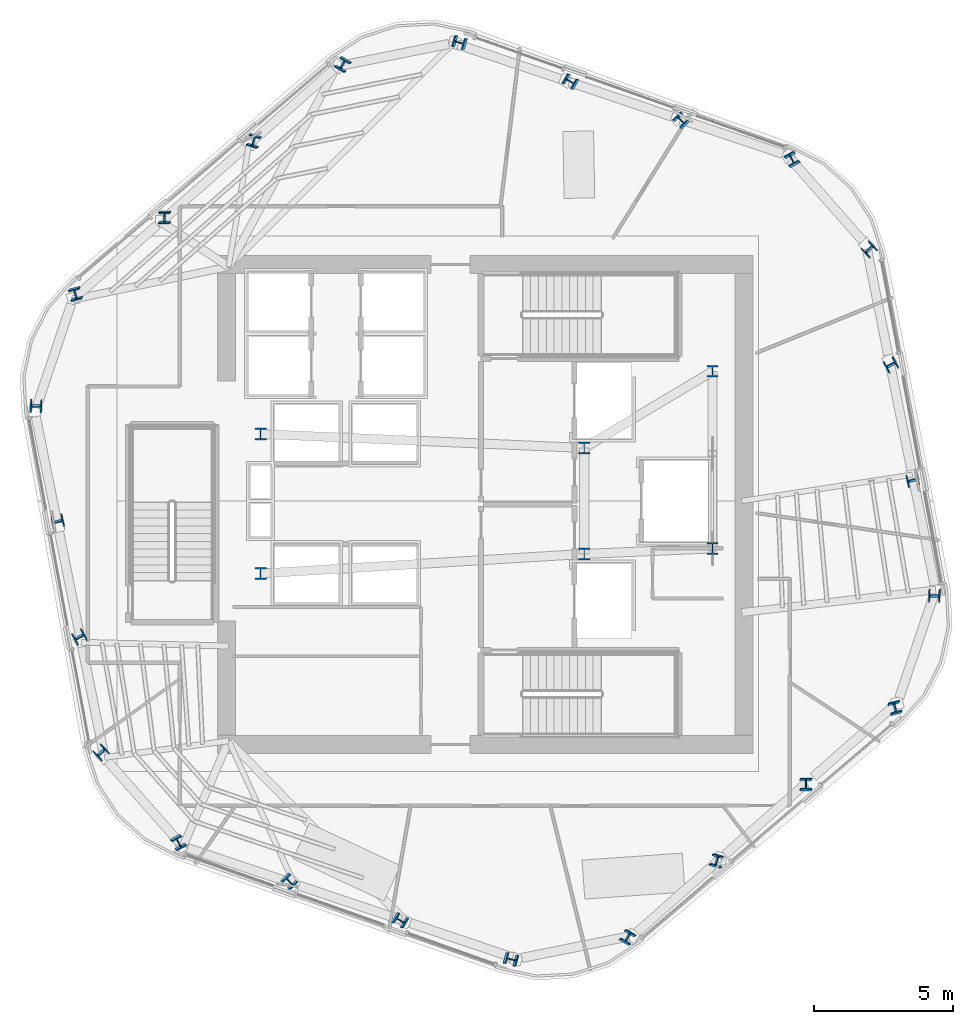
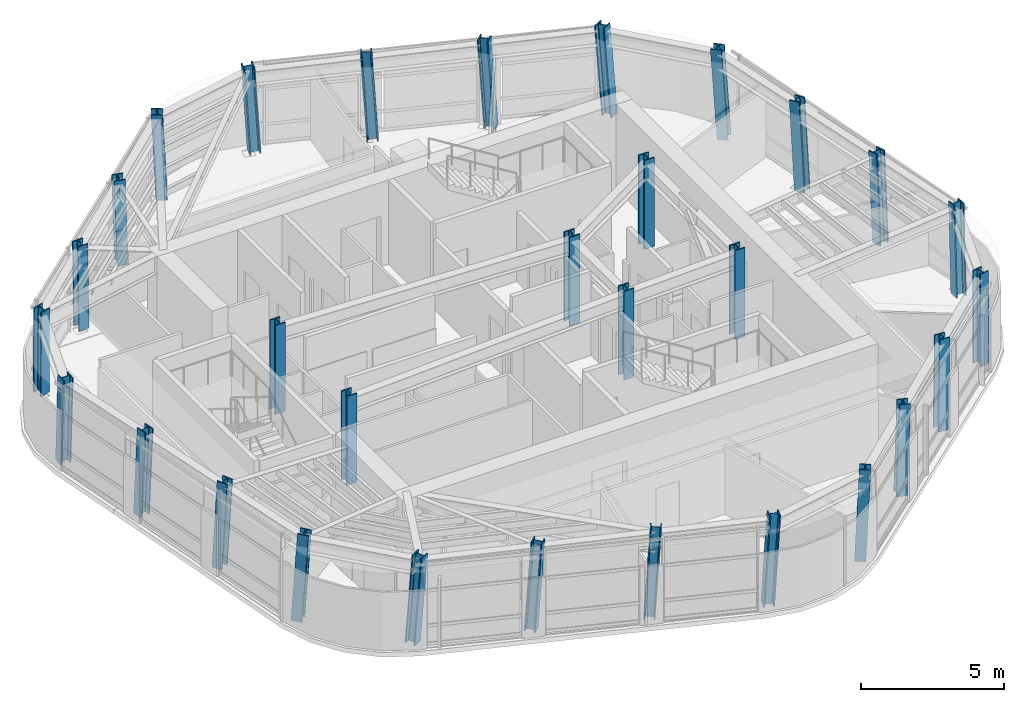
# One storey, part 1 of 14: 30 columns.
"""IFC4 building model written with IfcOpenShell, lengths in metres."""

from ifc_helpers import new_model, si_unit, direction, frame, origin, origin_2d, place, context, subcontext, project, spatial, i_section, extrude, material, material_profile, profile_set, type_object, element, save


model = new_model("IFC4")

# Units and contexts
model_context = context("Model", 3, precision=1e-05, world=origin(), true_north=direction((0.0, 1.0)))
body_context = subcontext(model_context, "Body", "Model", "MODEL_VIEW")
ifc_project = project(units=[si_unit("LENGTHUNIT", "METRE"), si_unit("AREAUNIT", "SQUARE_METRE"), si_unit("VOLUMEUNIT", "CUBIC_METRE"), si_unit("PLANEANGLEUNIT", "RADIAN"), si_unit("MASSUNIT", "GRAM", prefix="KILO")], contexts=[model_context])

# Site, building, storey
site_placement = place(None, origin())
site = spatial("IfcSite", under=ifc_project, at=site_placement, CompositionType="ELEMENT")
building_placement = place(site_placement, origin())
building = spatial("IfcBuilding", under=site, at=building_placement, Name="Valkerne Bourse Tower", CompositionType="ELEMENT")
storey_placement = place(building_placement, frame((0.0, 0.0, 198.0)))
storey = spatial("IfcBuildingStorey", under=building, at=storey_placement, Name="L50", CompositionType="ELEMENT", Elevation=198.0)

# Columns
ifc_material = material(Name="Steel ASTM A913 Grade 65", Category="steel")
ifc_material_profile_1 = material_profile(ifc_material, i_section(OverallWidth=0.40380859375, OverallDepth=0.406494140625, WebThickness=0.027099609375, FlangeThickness=0.043701171875, FilletRadius=0.025390625, at=origin_2d()), Name="W14X233")
ifc_profile_set_1 = profile_set([ifc_material_profile_1], Name="Steel ASTM A913 Grade 65")
column_type_1 = type_object("IfcColumnType", Name="COL-W14X233", PredefinedType="COLUMN", material=ifc_profile_set_1)
column_1_placement = place(storey_placement, frame((57.8291015625, 39.218017578125, 0.010009765625), z_axis=(-0.051020524217, 0.045287157228, 0.997670275942), x_axis=(0.874824725426, 0.483904036097, 0.022772431404)))
element("IfcColumn", 1, at=column_1_placement, inside=storey, type_object=column_type_1, Name="L50 Helical Perimeter Tube Column F1-C1", PredefinedType="COLUMN", context=body_context, shape_type="SweptSolid", body=[
    extrude(i_section(OverallWidth=0.40380859375, OverallDepth=0.406494140625, WebThickness=0.027099609375, FlangeThickness=0.043701171875, FilletRadius=0.025390625, at=origin_2d()), origin(), (0.0, 0.0, 1.0), 3.789794921875),
])
for number, where, z_axis, x_axis, name in (
    (2, (53.858642578125, 40.6240234375, 0.010009765625), (-0.056706801712, 0.028804477688, 0.997975270588), (0.723912208223, 0.689565335887, 0.021231164079), "L50 Helical Perimeter Tube Column F1-C2"),
    (3, (49.88818359375, 42.030029296875, 0.010009765625), (-0.062377573059, 0.012307971544, 0.997976729296), (0.509308147664, 0.860322481873, 0.021223522496), "L50 Helical Perimeter Tube Column F1-C3"),
):
    element("IfcColumn", number, at=place(storey_placement, frame(where, z_axis=z_axis, x_axis=x_axis)), inside=storey, type_object=column_type_1, Name=name, PredefinedType="COLUMN", context=body_context, shape_type="SweptSolid", body=[
        extrude(i_section(OverallWidth=0.40380859375, OverallDepth=0.406494140625, WebThickness=0.027099609375, FlangeThickness=0.043701171875, FilletRadius=0.025390625, at=origin_2d()), origin(), (0.0, 0.0, 1.0), 3.78857421875),
    ])
for number, where, z_axis, x_axis, name in (
    (4, (45.917724609375, 43.43603515625, 0.010009765625), (-0.068027663742, -0.004187308848, 0.997674648074), (0.274488704099, 0.961321142891, 0.022751078054), "L50 Helical Perimeter Tube Column F1-C4"),
    (5, (41.7333984375, 42.660400390625, 0.010009765625), (-0.06474193857, -0.021516226351, 0.997670052369), (-0.854683458748, 0.517255267288, -0.044307717232), "L50 Helical Perimeter Tube Column F2-C1"),
):
    element("IfcColumn", number, at=place(storey_placement, frame(where, z_axis=z_axis, x_axis=x_axis)), inside=storey, type_object=column_type_1, Name=name, PredefinedType="COLUMN", context=body_context, shape_type="SweptSolid", body=[
        extrude(i_section(OverallWidth=0.40380859375, OverallDepth=0.406494140625, WebThickness=0.027099609375, FlangeThickness=0.043701171875, FilletRadius=0.025390625, at=origin_2d()), origin(), (0.0, 0.0, 1.0), 3.789794921875),
    ])
for number, where, z_axis, x_axis, name in (
    (6, (38.530517578125, 39.925048828125, 0.010009765625), (-0.053291479035, -0.034732898669, 0.99797477123), (-0.958184626004, 0.283152854945, -0.041312022786), "L50 Helical Perimeter Tube Column F2-C2"),
    (7, (35.327880859375, 37.189453125, 0.010009765625), (-0.041885676242, -0.04787854992, 0.9979745661), (-0.999063364963, 0.012866113358, -0.041314112804), "L50 Helical Perimeter Tube Column F2-C3"),
):
    element("IfcColumn", number, at=place(storey_placement, frame(where, z_axis=z_axis, x_axis=x_axis)), inside=storey, type_object=column_type_1, Name=name, PredefinedType="COLUMN", context=body_context, shape_type="SweptSolid", body=[
        extrude(i_section(OverallWidth=0.40380859375, OverallDepth=0.406494140625, WebThickness=0.027099609375, FlangeThickness=0.043701171875, FilletRadius=0.025390625, at=origin_2d()), origin(), (0.0, 0.0, 1.0), 3.78857421875),
    ])
for number, where, z_axis, x_axis, name in (
    (8, (32.125, 34.4541015625, 0.010009765625), (-0.030406170052, -0.06107001951, 0.99767024489), (-0.969487222029, -0.241104779177, -0.044305888775), "L50 Helical Perimeter Tube Column F2-C4"),
    (9, (30.704345703125, 30.4423828125, 0.010009765625), (-0.013721449788, -0.066803490282, 0.997671797487), (-0.018861255832, -0.997570913135, -0.067056142856), "L50 Helical Perimeter Tube Column F3-C1"),
):
    element("IfcColumn", number, at=place(storey_placement, frame(where, z_axis=z_axis, x_axis=x_axis)), inside=storey, type_object=column_type_1, Name=name, PredefinedType="COLUMN", context=body_context, shape_type="SweptSolid", body=[
        extrude(i_section(OverallWidth=0.40380859375, OverallDepth=0.406494140625, WebThickness=0.027099609375, FlangeThickness=0.043701171875, FilletRadius=0.025390625, at=origin_2d()), origin(), (0.0, 0.0, 1.0), 3.789794921875),
    ])
for number, where, z_axis, x_axis, name in (
    (10, (31.471923828125, 26.301025390625, 0.010009765625), (0.003415290368, -0.06353728873, 0.997973621261), (0.234642135372, -0.970066426533, -0.06256353908), "L50 Helical Perimeter Tube Column F3-C2"),
    (11, (32.239501953125, 22.159423828125, 0.010009765625), (0.020556219547, -0.060186548768, 0.997975461214), (0.489609098859, -0.869696662282, -0.062535157558), "L50 Helical Perimeter Tube Column F3-C3"),
):
    element("IfcColumn", number, at=place(storey_placement, frame(where, z_axis=z_axis, x_axis=x_axis)), inside=storey, type_object=column_type_1, Name=name, PredefinedType="COLUMN", context=body_context, shape_type="SweptSolid", body=[
        extrude(i_section(OverallWidth=0.40380859375, OverallDepth=0.406494140625, WebThickness=0.027099609375, FlangeThickness=0.043701171875, FilletRadius=0.025390625, at=origin_2d()), origin(), (0.0, 0.0, 1.0), 3.78857421875),
    ])
for number, where, z_axis, x_axis, name in (
    (12, (33.007080078125, 18.01806640625, 0.010009765625), (0.037685579994, -0.056882678863, 0.997669363019), (0.693706979654, -0.717125793573, -0.067091151212), "L50 Helical Perimeter Tube Column F3-C4"),
    (13, (35.77099609375, 14.781982421875, 0.010009765625), (0.050956271737, -0.045287305981, 0.997673552966), (0.87512892251, 0.483354439259, -0.022756428418), "L50 Helical Perimeter Tube Column F4-C1"),
):
    element("IfcColumn", number, at=place(storey_placement, frame(where, z_axis=z_axis, x_axis=x_axis)), inside=storey, type_object=column_type_1, Name=name, PredefinedType="COLUMN", context=body_context, shape_type="SweptSolid", body=[
        extrude(i_section(OverallWidth=0.40380859375, OverallDepth=0.406494140625, WebThickness=0.027099609375, FlangeThickness=0.043701171875, FilletRadius=0.025390625, at=origin_2d()), origin(), (0.0, 0.0, 1.0), 3.789794921875),
    ])
for number, where, z_axis, x_axis, name in (
    (14, (39.741455078125, 13.3759765625, 0.010009765625), (0.056706801712, -0.028804477688, 0.997975270588), (0.723912208223, 0.689565335887, -0.021231164079), "L50 Helical Perimeter Tube Column F4-C2"),
    (15, (43.7119140625, 11.969970703125, 0.010009765625), (0.062377573059, -0.012307971544, 0.997976729296), (0.509308147664, 0.860322481873, -0.021223522496), "L50 Helical Perimeter Tube Column F4-C3"),
):
    element("IfcColumn", number, at=place(storey_placement, frame(where, z_axis=z_axis, x_axis=x_axis)), inside=storey, type_object=column_type_1, Name=name, PredefinedType="COLUMN", context=body_context, shape_type="SweptSolid", body=[
        extrude(i_section(OverallWidth=0.40380859375, OverallDepth=0.406494140625, WebThickness=0.027099609375, FlangeThickness=0.043701171875, FilletRadius=0.025390625, at=origin_2d()), origin(), (0.0, 0.0, 1.0), 3.78857421875),
    ])
for number, where, z_axis, x_axis, name in (
    (16, (47.68212890625, 10.56396484375, 0.010009765625), (0.068091785335, 0.004187290489, 0.997670273872), (0.274543016447, 0.961305127433, -0.02277244151), "L50 Helical Perimeter Tube Column F4-C4"),
    (17, (51.86669921875, 11.339599609375, 0.010009765625), (0.064677788346, 0.021516316043, 0.997674211273), (-0.854840157292, 0.516999643922, 0.044268201514), "L50 Helical Perimeter Tube Column F5-C1"),
):
    element("IfcColumn", number, at=place(storey_placement, frame(where, z_axis=z_axis, x_axis=x_axis)), inside=storey, type_object=column_type_1, Name=name, PredefinedType="COLUMN", context=body_context, shape_type="SweptSolid", body=[
        extrude(i_section(OverallWidth=0.40380859375, OverallDepth=0.406494140625, WebThickness=0.027099609375, FlangeThickness=0.043701171875, FilletRadius=0.025390625, at=origin_2d()), origin(), (0.0, 0.0, 1.0), 3.789794921875),
    ])
for number, where, z_axis, x_axis, name in (
    (18, (55.0693359375, 14.074951171875, 0.010009765625), (0.053355735212, 0.034732779322, 0.997971342054), (-0.958026124997, 0.283683580286, 0.041346947874), "L50 Helical Perimeter Tube Column F5-C2"),
    (19, (58.272216796875, 16.810546875, 0.010009765625), (0.041885676242, 0.04787854992, 0.9979745661), (-0.999063364963, 0.012866113358, 0.041314112804), "L50 Helical Perimeter Tube Column F5-C3"),
):
    element("IfcColumn", number, at=place(storey_placement, frame(where, z_axis=z_axis, x_axis=x_axis)), inside=storey, type_object=column_type_1, Name=name, PredefinedType="COLUMN", context=body_context, shape_type="SweptSolid", body=[
        extrude(i_section(OverallWidth=0.40380859375, OverallDepth=0.406494140625, WebThickness=0.027099609375, FlangeThickness=0.043701171875, FilletRadius=0.025390625, at=origin_2d()), origin(), (0.0, 0.0, 1.0), 3.78857421875),
    ])
for number, where, z_axis, x_axis, name in (
    (20, (61.47509765625, 19.5458984375, 0.010009765625), (0.030406170052, 0.06107001951, 0.99767024489), (-0.969487222029, -0.241104779177, 0.044305888775), "L50 Helical Perimeter Tube Column F5-C4"),
    (21, (62.8955078125, 23.5576171875, 0.010009765625), (0.013785857526, 0.066803431093, 0.997670913541), (-0.019783931883, -0.997552186376, 0.067068856376), "L50 Helical Perimeter Tube Column F6-C1"),
):
    element("IfcColumn", number, at=place(storey_placement, frame(where, z_axis=z_axis, x_axis=x_axis)), inside=storey, type_object=column_type_1, Name=name, PredefinedType="COLUMN", context=body_context, shape_type="SweptSolid", body=[
        extrude(i_section(OverallWidth=0.40380859375, OverallDepth=0.406494140625, WebThickness=0.027099609375, FlangeThickness=0.043701171875, FilletRadius=0.025390625, at=origin_2d()), origin(), (0.0, 0.0, 1.0), 3.789794921875),
    ])
for number, where, z_axis, x_axis, name in (
    (22, (62.1279296875, 27.698974609375, 0.010009765625), (-0.003350851657, 0.063537302581, 0.997973838822), (0.233660968081, -0.970303445008, 0.062560183839), "L50 Helical Perimeter Tube Column F6-C2"),
    (23, (61.360595703125, 31.840576171875, 0.010009765625), (-0.020556219547, 0.060186548768, 0.997975461214), (0.489609098859, -0.869696662282, 0.062535157558), "L50 Helical Perimeter Tube Column F6-C3"),
):
    element("IfcColumn", number, at=place(storey_placement, frame(where, z_axis=z_axis, x_axis=x_axis)), inside=storey, type_object=column_type_1, Name=name, PredefinedType="COLUMN", context=body_context, shape_type="SweptSolid", body=[
        extrude(i_section(OverallWidth=0.40380859375, OverallDepth=0.406494140625, WebThickness=0.027099609375, FlangeThickness=0.043701171875, FilletRadius=0.025390625, at=origin_2d()), origin(), (0.0, 0.0, 1.0), 3.78857421875),
    ])
column_2_placement = place(storey_placement, frame((60.593017578125, 35.98193359375, 0.010009765625), z_axis=(-0.037685579994, 0.056882678863, 0.997669363019), x_axis=(0.693706979654, -0.717125793573, 0.067091151212)))
element("IfcColumn", 24, at=column_2_placement, inside=storey, type_object=column_type_1, Name="L50 Helical Perimeter Tube Column F6-C4", PredefinedType="COLUMN", context=body_context, shape_type="SweptSolid", body=[
    extrude(i_section(OverallWidth=0.40380859375, OverallDepth=0.406494140625, WebThickness=0.027099609375, FlangeThickness=0.043701171875, FilletRadius=0.025390625, at=origin_2d()), origin(), (0.0, 0.0, 1.0), 3.789794921875),
])
ifc_material_profile_2 = material_profile(ifc_material, i_section(OverallWidth=0.408935546875, OverallDepth=0.42431640625, WebThickness=0.03271484375, FlangeThickness=0.052490234375, FilletRadius=0.025390625, at=origin_2d()), Name="W14X283")
ifc_profile_set_2 = profile_set([ifc_material_profile_2], Name="Steel ASTM A913 Grade 65")
column_type_2 = type_object("IfcColumnType", Name="COL-W14X283", PredefinedType="COLUMN", material=ifc_profile_set_2)
for number, where, z_axis, x_axis, name in (
    (25, (38.75, 24.39990234375, 0.0048828125), (0.0, 0.0, 1.0), (1.0, 0.0, 0.0), "L50 Core Frame Column CC-SW"),
    (26, (38.75, 29.39990234375, 0.0048828125), (0.0, 0.0, 1.0), (1.0, 0.0, 0.0), "L50 Core Frame Column CC-NW"),
    (27, (50.35009765625, 25.10009765625, 0.0048828125), (0.0, 0.0, 1.0), (1.0, 0.0, 0.0), "L50 Core Frame Column CC-CE1"),
    (28, (50.35009765625, 28.89990234375, 0.0048828125), (0.0, 0.0, 1.0), (1.0, 0.0, 0.0), "L50 Core Frame Column CC-CE2"),
    (29, (54.949951171875, 25.300048828125, 0.0048828125), (0.0, 0.0, 1.0), (1.0, 0.0, 0.0), "L50 Core Frame Column CC-SE"),
    (30, (54.949951171875, 31.64990234375, 0.0048828125), (0.0, 0.0, 1.0), (1.0, 0.0, 0.0), "L50 Core Frame Column CC-NE"),
):
    element("IfcColumn", number, at=place(storey_placement, frame(where, z_axis=z_axis, x_axis=x_axis)), inside=storey, type_object=column_type_2, Name=name, PredefinedType="COLUMN", context=body_context, shape_type="SweptSolid", body=[
        extrude(i_section(OverallWidth=0.408935546875, OverallDepth=0.42431640625, WebThickness=0.03271484375, FlangeThickness=0.052490234375, FilletRadius=0.025390625, at=origin_2d()), origin(), (0.0, 0.0, 1.0), 3.795166015625),
    ])

save(model, "model.ifc")
